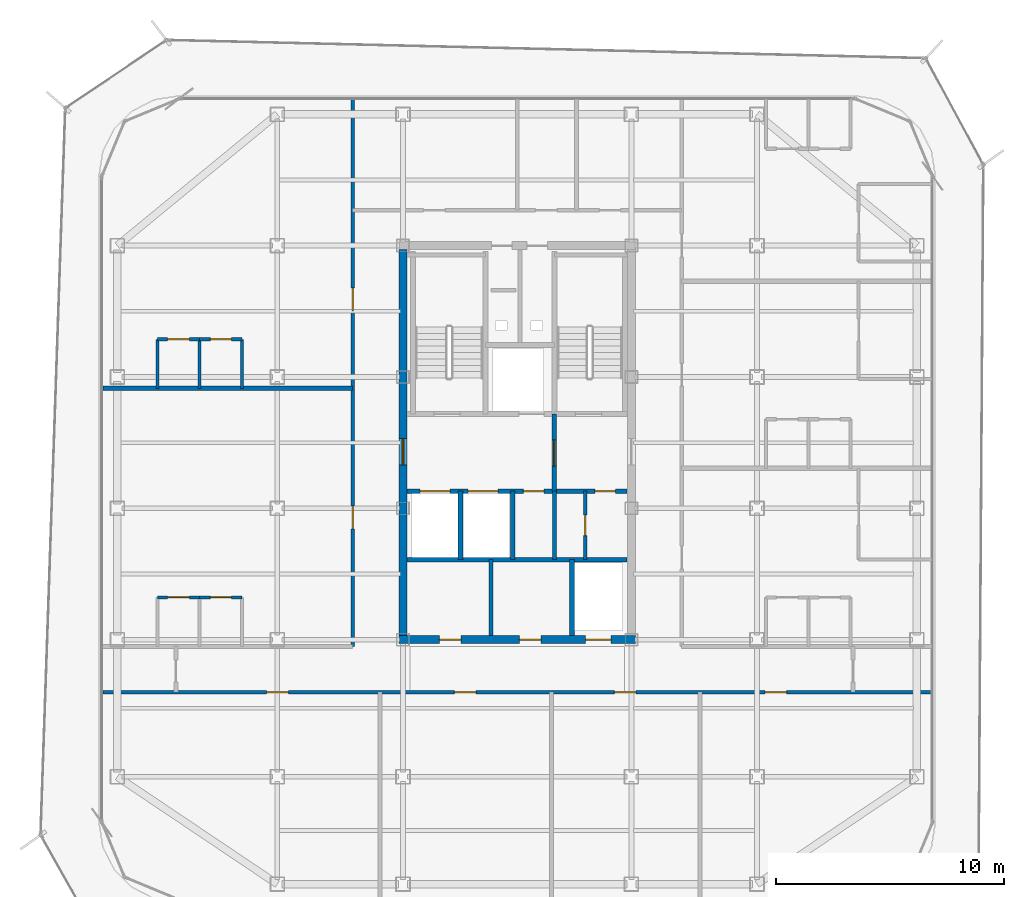
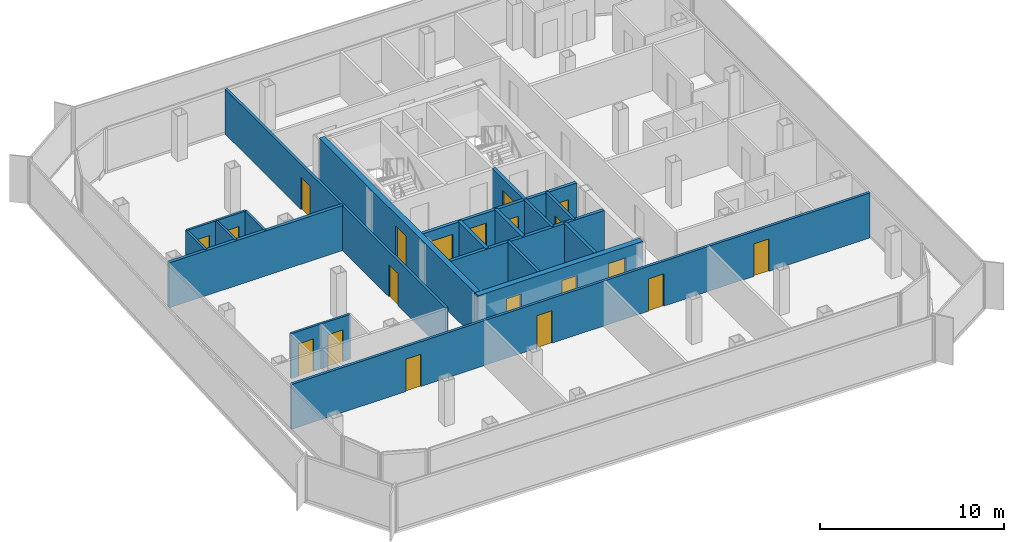
# One storey, part 10 of 15: 21 walls, 20 doors, 20 openings.
"""IFC4 building model written with IfcOpenShell, lengths in metres."""

from ifc_helpers import new_model, si_unit, direction, frame, frame_2d, origin, place, context, subcontext, project, spatial, rectangle, extrude, material, layer, layer_set, type_object, element, fill, save


model = new_model("IFC4")

# Units and contexts
model_context = context("Model", 3, precision=1e-05, world=origin(), true_north=direction((0.0, 1.0)))
body_context = subcontext(model_context, "Body", "Model", "MODEL_VIEW")
ifc_project = project(units=[si_unit("LENGTHUNIT", "METRE"), si_unit("AREAUNIT", "SQUARE_METRE"), si_unit("VOLUMEUNIT", "CUBIC_METRE"), si_unit("PLANEANGLEUNIT", "RADIAN"), si_unit("MASSUNIT", "GRAM", prefix="KILO")], contexts=[model_context])

# Site, building, storey
site_placement = place(None, origin())
site = spatial("IfcSite", under=ifc_project, at=site_placement, CompositionType="ELEMENT")
building_placement = place(site_placement, origin())
building = spatial("IfcBuilding", under=site, at=building_placement, Name="Kolveth Station Tower", CompositionType="ELEMENT")
storey_placement = place(building_placement, frame((0.0, 0.0, 248.89990234375)))
storey = spatial("IfcBuildingStorey", under=building, at=storey_placement, Name="L71", CompositionType="ELEMENT", Elevation=248.89990234375)

# Wall, openings, doors
ifc_material_1 = material(Name="Concrete C50/60", Category="concrete")
ifc_layer_1 = layer(ifc_material_1, 0.35009765625)
ifc_layer_set_1 = layer_set([ifc_layer_1], Name="Concrete C50/60")
wall_type_1 = type_object("IfcWallType", Name="Wall_CW-350", PredefinedType="SHEAR", material=ifc_layer_set_1)
wall_1_placement = place(storey_placement, frame((18.324951171875, 11.5, 0.0), z_axis=(0.0, 0.0, 1.0), x_axis=(1.0, 0.0, 0.0)))
wall_1 = element("IfcWall", 1, at=wall_1_placement, inside=storey, type_object=wall_type_1, Name="L71 Core RC Shear Wall S", PredefinedType="SHEAR", context=body_context, shape_type="SweptSolid", body=[
    extrude(rectangle(XDim=10.35009765625, YDim=0.35009765625, at=frame_2d((5.175048828125, 0.0))), origin(), (0.0, 0.0, 1.0), 2.97998046875),
])
opening_1_placement = place(wall_1_placement, frame((1.77490234375, 0.0, 0.0)))
opening_1 = element("IfcOpeningElement", 2, at=opening_1_placement, cuts=wall_1, Name="Opening ID1", PredefinedType="OPENING", context=body_context, shape_type="SweptSolid", body=[
    extrude(rectangle(XDim=0.949951171875, YDim=2.14990234375, at=frame_2d((0.47509765625, 1.074951171875))), frame((0.0, 0.18505859375, 0.0), z_axis=(0.0, -1.0, 0.0), x_axis=(1.0, 0.0, 0.0)), (0.0, 0.0, 1.0), 0.3701171875),
])
opening_2_placement = place(wall_1_placement, frame((5.27490234375, 0.0, 0.0)))
opening_2 = element("IfcOpeningElement", 3, at=opening_2_placement, cuts=wall_1, Name="Opening ID1", PredefinedType="OPENING", context=body_context, shape_type="SweptSolid", body=[
    extrude(rectangle(XDim=0.949951171875, YDim=2.14990234375, at=frame_2d((0.47509765625, 1.074951171875))), frame((0.0, 0.18505859375, 0.0), z_axis=(0.0, -1.0, 0.0), x_axis=(1.0, 0.0, 0.0)), (0.0, 0.0, 1.0), 0.3701171875),
])
opening_3_placement = place(wall_1_placement, frame((8.175048828125, 0.0, 0.0)))
opening_3 = element("IfcOpeningElement", 4, at=opening_3_placement, cuts=wall_1, Name="Opening LD1", PredefinedType="OPENING", context=body_context, shape_type="SweptSolid", body=[
    extrude(rectangle(XDim=1.10009765625, YDim=2.25, at=frame_2d((0.550048828125, 1.125))), frame((0.0, 0.18505859375, 0.0), z_axis=(0.0, -1.0, 0.0), x_axis=(1.0, 0.0, 0.0)), (0.0, 0.0, 1.0), 0.3701171875),
])
ifc_material_2 = material(Name="Acoustic hardwood leaf and aluminium frame", Category="wood")
door_type_1 = type_object("IfcDoorType", Name="Door_ID1", OperationType="NOTDEFINED", PredefinedType="DOOR", material=ifc_material_2)
door_1_placement = place(opening_1_placement, frame((0.949951171875, 0.0, 0.0), z_axis=(0.0, 0.0, 1.0), x_axis=(-1.0, 0.0, 0.0)))
door_1 = element("IfcDoor", 5, at=door_1_placement, inside=storey, type_object=door_type_1, Name="L71 Laundry Room Door", OperationType="SINGLE_SWING_LEFT", OverallHeight=2.14990234375, OverallWidth=0.949951171875, PredefinedType="DOOR", context=body_context, shape_type="SweptSolid", body=[
    extrude(rectangle(XDim=0.949951171875, YDim=2.14990234375, at=frame_2d((0.47509765625, 1.074951171875))), frame((0.0, 0.02490234375, 0.0), z_axis=(0.0, -1.0, 0.0), x_axis=(1.0, 0.0, 0.0)), (0.0, 0.0, 1.0), 0.050048828125),
])
fill(opening_1, door_1)
door_2_placement = place(opening_2_placement, frame((0.949951171875, 0.0, 0.0), z_axis=(0.0, 0.0, 1.0), x_axis=(-1.0, 0.0, 0.0)))
door_2 = element("IfcDoor", 6, at=door_2_placement, inside=storey, type_object=door_type_1, Name="L71 Parcel Room Door", OperationType="SINGLE_SWING_RIGHT", OverallHeight=2.14990234375, OverallWidth=0.949951171875, PredefinedType="DOOR", context=body_context, shape_type="SweptSolid", body=[
    extrude(rectangle(XDim=0.949951171875, YDim=2.14990234375, at=frame_2d((0.47509765625, 1.074951171875))), frame((0.0, 0.02490234375, 0.0), z_axis=(0.0, -1.0, 0.0), x_axis=(1.0, 0.0, 0.0)), (0.0, 0.0, 1.0), 0.050048828125),
])
fill(opening_2, door_2)
ifc_material_3 = material(Name="Brushed stainless steel sliding landing doors", Category="steel")
door_type_2 = type_object("IfcDoorType", Name="Door_LD1", OperationType="NOTDEFINED", PredefinedType="DOOR", material=ifc_material_3)
door_3_placement = place(opening_3_placement, frame((1.10009765625, 0.0, 0.0), z_axis=(0.0, 0.0, 1.0), x_axis=(-1.0, 0.0, 0.0)))
door_3 = element("IfcDoor", 7, at=door_3_placement, inside=storey, type_object=door_type_2, Name="L71 Lift PH1 Landing Door", OperationType="DOUBLE_DOOR_SLIDING", OverallHeight=2.25, OverallWidth=1.10009765625, PredefinedType="DOOR", context=body_context, shape_type="SweptSolid", body=[
    extrude(rectangle(XDim=1.10009765625, YDim=2.25, at=frame_2d((0.550048828125, 1.125))), frame((0.0, 0.02490234375, 0.0), z_axis=(0.0, -1.0, 0.0), x_axis=(1.0, 0.0, 0.0)), (0.0, 0.0, 1.0), 0.050048828125),
])
fill(opening_3, door_3)

# Wall, opening, door
wall_2_placement = place(storey_placement, frame((18.5, 11.675048828125, 0.0), z_axis=(0.0, 0.0, 1.0), x_axis=(0.0, 1.0, 0.0)))
wall_2 = element("IfcWall", 8, at=wall_2_placement, inside=storey, type_object=wall_type_1, Name="L71 Core RC Shear Wall W", PredefinedType="SHEAR", context=body_context, shape_type="SweptSolid", body=[
    extrude(rectangle(XDim=16.89990234375, YDim=0.35009765625, at=frame_2d((8.449951171875, 0.0))), origin(), (0.0, 0.0, 1.0), 2.97998046875),
])
opening_4_placement = place(wall_2_placement, frame((7.47509765625, 0.0, 0.0)))
opening_4 = element("IfcOpeningElement", 9, at=opening_4_placement, cuts=wall_2, Name="Opening FD1", PredefinedType="OPENING", context=body_context, shape_type="SweptSolid", body=[
    extrude(rectangle(XDim=1.14990234375, YDim=2.199951171875, at=frame_2d((0.574951171875, 1.10009765625))), frame((0.0, 0.18505859375, 0.0), z_axis=(0.0, -1.0, 0.0), x_axis=(1.0, 0.0, 0.0)), (0.0, 0.0, 1.0), 0.3701171875),
])
ifc_material_4 = material(Name="Fire-rated Steel S355 leaf and frame", Category="steel")
door_type_3 = type_object("IfcDoorType", Name="Door_FD1", OperationType="NOTDEFINED", PredefinedType="DOOR", material=ifc_material_4)
door_4_placement = place(opening_4_placement, frame((1.14990234375, 0.0, 0.0), z_axis=(0.0, 0.0, 1.0), x_axis=(-1.0, 0.0, 0.0)))
door_4 = element("IfcDoor", 10, at=door_4_placement, inside=storey, type_object=door_type_3, Name="L71 West Corridor to Firefighting Lobby Door", OperationType="SINGLE_SWING_LEFT", OverallHeight=2.199951171875, OverallWidth=1.14990234375, PredefinedType="DOOR", context=body_context, shape_type="SweptSolid", body=[
    extrude(rectangle(XDim=1.14990234375, YDim=2.199951171875, at=frame_2d((0.574951171875, 1.10009765625))), frame((0.0, 0.02490234375, 0.0), z_axis=(0.0, -1.0, 0.0), x_axis=(1.0, 0.0, 0.0)), (0.0, 0.0, 1.0), 0.050048828125),
])
fill(opening_4, door_4)

ifc_material_5 = material(Name="Moisture-resistant gypsum partition")
ifc_layer_2 = layer(ifc_material_5, 0.135009765625)
ifc_layer_set_2 = layer_set([ifc_layer_2], Name="Moisture-resistant gypsum partition")
wall_type_2 = type_object("IfcWallType", Name="Wall_IW-135", PredefinedType="PARTITIONING", material=ifc_layer_set_2)
wall_3_placement = place(storey_placement, frame((7.75, 13.35009765625, 0.0), z_axis=(0.0, 0.0, 1.0), x_axis=(1.0, 0.0, 0.0)))
wall_3 = element("IfcWall", 11, at=wall_3_placement, inside=storey, type_object=wall_type_2, Name="L71 Partition Wall WL-L71-W1-IBHK", PredefinedType="PARTITIONING", context=body_context, shape_type="SweptSolid", body=[
    extrude(rectangle(XDim=1.85009765625, YDim=0.135009765625, at=frame_2d((0.925048828125, 0.0))), origin(), (0.0, 0.0, 1.0), 2.97998046875),
])
opening_5_placement = place(wall_3_placement, frame((0.445068359375, 0.0, 0.0)))
opening_5 = element("IfcOpeningElement", 12, at=opening_5_placement, cuts=wall_3, Name="Opening ID1", PredefinedType="OPENING", context=body_context, shape_type="SweptSolid", body=[
    extrude(rectangle(XDim=0.949951171875, YDim=2.14990234375, at=frame_2d((0.47509765625, 1.074951171875))), frame((0.0, 0.077392578125, 0.0), z_axis=(0.0, -1.0, 0.0), x_axis=(1.0, 0.0, 0.0)), (0.0, 0.0, 1.0), 0.155029296875),
])
door_5_placement = place(opening_5_placement, origin())
door_5 = element("IfcDoor", 13, at=door_5_placement, inside=storey, type_object=door_type_1, Name="Penthouse Flat L71-W1 Kitchen Door", OperationType="SINGLE_SWING_LEFT", OverallHeight=2.14990234375, OverallWidth=0.949951171875, PredefinedType="DOOR", context=body_context, shape_type="SweptSolid", body=[
    extrude(rectangle(XDim=0.949951171875, YDim=2.14990234375, at=frame_2d((0.47509765625, 1.074951171875))), frame((0.0, 0.02490234375, 0.0), z_axis=(0.0, -1.0, 0.0), x_axis=(1.0, 0.0, 0.0)), (0.0, 0.0, 1.0), 0.050048828125),
])
fill(opening_5, door_5)

wall_4_placement = place(storey_placement, frame((9.60009765625, 13.35009765625, 0.0), z_axis=(0.0, 0.0, 1.0), x_axis=(1.0, 0.0, 0.0)))
wall_4 = element("IfcWall", 14, at=wall_4_placement, inside=storey, type_object=wall_type_2, Name="L71 Partition Wall WL-L71-W1-IBHB", PredefinedType="PARTITIONING", context=body_context, shape_type="SweptSolid", body=[
    extrude(rectangle(XDim=1.849853515625, YDim=0.135009765625, at=frame_2d((0.9248046875, 0.0))), origin(), (0.0, 0.0, 1.0), 2.97998046875),
])
opening_6_placement = place(wall_4_placement, frame((0.465087890625, 0.0, 0.0)))
opening_6 = element("IfcOpeningElement", 15, at=opening_6_placement, cuts=wall_4, Name="Opening ID2", PredefinedType="OPENING", context=body_context, shape_type="SweptSolid", body=[
    extrude(rectangle(XDim=0.919921875, YDim=2.10009765625, at=frame_2d((0.4599609375, 1.050048828125))), frame((0.0, 0.077392578125, 0.0), z_axis=(0.0, -1.0, 0.0), x_axis=(1.0, 0.0, 0.0)), (0.0, 0.0, 1.0), 0.155029296875),
])
ifc_material_6 = material(Name="Moisture-resistant hardwood leaf", Category="wood")
door_type_4 = type_object("IfcDoorType", Name="Door_ID2", OperationType="NOTDEFINED", PredefinedType="DOOR", material=ifc_material_6)
door_6_placement = place(opening_6_placement, origin())
door_6 = element("IfcDoor", 16, at=door_6_placement, inside=storey, type_object=door_type_4, Name="Penthouse Flat L71-W1 Bathroom Door", OperationType="SINGLE_SWING_LEFT", OverallHeight=2.10009765625, OverallWidth=0.919921875, PredefinedType="DOOR", context=body_context, shape_type="SweptSolid", body=[
    extrude(rectangle(XDim=0.919921875, YDim=2.10009765625, at=frame_2d((0.4599609375, 1.050048828125))), frame((0.0, 0.02490234375, 0.0), z_axis=(0.0, -1.0, 0.0), x_axis=(1.0, 0.0, 0.0)), (0.0, 0.0, 1.0), 0.050048828125),
])
fill(opening_6, door_6)

wall_5_placement = place(storey_placement, frame((7.75, 24.64990234375, 0.0), z_axis=(0.0, 0.0, 1.0), x_axis=(1.0, 0.0, 0.0)))
wall_5 = element("IfcWall", 17, at=wall_5_placement, inside=storey, type_object=wall_type_2, Name="L71 Partition Wall WL-L71-W2-IBHK", PredefinedType="PARTITIONING", context=body_context, shape_type="SweptSolid", body=[
    extrude(rectangle(XDim=1.85009765625, YDim=0.135009765625, at=frame_2d((0.925048828125, 0.0))), origin(), (0.0, 0.0, 1.0), 2.97998046875),
])
opening_7_placement = place(wall_5_placement, frame((0.445068359375, 0.0, 0.0)))
opening_7 = element("IfcOpeningElement", 18, at=opening_7_placement, cuts=wall_5, Name="Opening ID1", PredefinedType="OPENING", context=body_context, shape_type="SweptSolid", body=[
    extrude(rectangle(XDim=0.949951171875, YDim=2.14990234375, at=frame_2d((0.47509765625, 1.074951171875))), frame((0.0, 0.077392578125, 0.0), z_axis=(0.0, -1.0, 0.0), x_axis=(1.0, 0.0, 0.0)), (0.0, 0.0, 1.0), 0.155029296875),
])
door_7_placement = place(opening_7_placement, origin())
door_7 = element("IfcDoor", 19, at=door_7_placement, inside=storey, type_object=door_type_1, Name="Penthouse Flat L71-W2 Kitchen Door", OperationType="SINGLE_SWING_RIGHT", OverallHeight=2.14990234375, OverallWidth=0.949951171875, PredefinedType="DOOR", context=body_context, shape_type="SweptSolid", body=[
    extrude(rectangle(XDim=0.949951171875, YDim=2.14990234375, at=frame_2d((0.47509765625, 1.074951171875))), frame((0.0, 0.02490234375, 0.0), z_axis=(0.0, -1.0, 0.0), x_axis=(1.0, 0.0, 0.0)), (0.0, 0.0, 1.0), 0.050048828125),
])
fill(opening_7, door_7)

wall_6_placement = place(storey_placement, frame((9.60009765625, 24.64990234375, 0.0), z_axis=(0.0, 0.0, 1.0), x_axis=(1.0, 0.0, 0.0)))
wall_6 = element("IfcWall", 20, at=wall_6_placement, inside=storey, type_object=wall_type_2, Name="L71 Partition Wall WL-L71-W2-IBHB", PredefinedType="PARTITIONING", context=body_context, shape_type="SweptSolid", body=[
    extrude(rectangle(XDim=1.849853515625, YDim=0.135009765625, at=frame_2d((0.9248046875, 0.0))), origin(), (0.0, 0.0, 1.0), 2.97998046875),
])
opening_8_placement = place(wall_6_placement, frame((0.465087890625, 0.0, 0.0)))
opening_8 = element("IfcOpeningElement", 21, at=opening_8_placement, cuts=wall_6, Name="Opening ID2", PredefinedType="OPENING", context=body_context, shape_type="SweptSolid", body=[
    extrude(rectangle(XDim=0.919921875, YDim=2.10009765625, at=frame_2d((0.4599609375, 1.050048828125))), frame((0.0, 0.077392578125, 0.0), z_axis=(0.0, -1.0, 0.0), x_axis=(1.0, 0.0, 0.0)), (0.0, 0.0, 1.0), 0.155029296875),
])
door_8_placement = place(opening_8_placement, origin())
door_8 = element("IfcDoor", 22, at=door_8_placement, inside=storey, type_object=door_type_4, Name="Penthouse Flat L71-W2 Bathroom Door", OperationType="SINGLE_SWING_LEFT", OverallHeight=2.10009765625, OverallWidth=0.919921875, PredefinedType="DOOR", context=body_context, shape_type="SweptSolid", body=[
    extrude(rectangle(XDim=0.919921875, YDim=2.10009765625, at=frame_2d((0.4599609375, 1.050048828125))), frame((0.0, 0.02490234375, 0.0), z_axis=(0.0, -1.0, 0.0), x_axis=(1.0, 0.0, 0.0)), (0.0, 0.0, 1.0), 0.050048828125),
])
fill(opening_8, door_8)

# Walls
for number, where, z_axis, x_axis, name in (
    (23, (7.75, 22.5, 0.0), (0.0, 0.0, 1.0), (0.0, 1.0, 0.0), "L71 Partition Wall WL-L71-W2-IBV0"),
    (24, (9.60009765625, 22.5, 0.0), (0.0, 0.0, 1.0), (0.0, 1.0, 0.0), "L71 Partition Wall WL-L71-W2-IBV1"),
    (25, (11.449951171875, 22.5, 0.0), (0.0, 0.0, 1.0), (0.0, 1.0, 0.0), "L71 Partition Wall WL-L71-W2-IBV2"),
):
    element("IfcWall", number, at=place(storey_placement, frame(where, z_axis=z_axis, x_axis=x_axis)), inside=storey, type_object=wall_type_2, Name=name, PredefinedType="PARTITIONING", context=body_context, shape_type="SweptSolid", body=[
        extrude(rectangle(XDim=2.14990234375, YDim=0.135009765625, at=frame_2d((1.074951171875, 0.0))), origin(), (0.0, 0.0, 1.0), 2.97998046875),
    ])
ifc_material_7 = material(Name="Acoustic double-stud gypsum partition")
ifc_layer_3 = layer(ifc_material_7, 0.1650390625)
ifc_layer_set_3 = layer_set([ifc_layer_3], Name="Acoustic double-stud gypsum partition")
wall_type_3 = type_object("IfcWallType", Name="Wall_IW-165", PredefinedType="PARTITIONING", material=ifc_layer_set_3)
wall_7_placement = place(storey_placement, frame((25.1298828125, 15.0, 0.0), z_axis=(0.0, 0.0, 1.0), x_axis=(0.0, 1.0, 0.0)))
element("IfcWall", 26, at=wall_7_placement, inside=storey, type_object=wall_type_3, Name="L71 Partition Wall WL-L71-CB-V3A", PredefinedType="PARTITIONING", context=body_context, shape_type="SweptSolid", body=[
    extrude(rectangle(XDim=3.0, YDim=0.1650390625, at=frame_2d((1.5, 0.0))), origin(), (0.0, 0.0, 1.0), 2.97998046875),
])

# Wall, opening, door
wall_8_placement = place(storey_placement, frame((26.47998046875, 15.0, 0.0), z_axis=(0.0, 0.0, 1.0), x_axis=(0.0, 1.0, 0.0)))
wall_8 = element("IfcWall", 27, at=wall_8_placement, inside=storey, type_object=wall_type_3, Name="L71 Partition Wall WL-L71-CB-V3B", PredefinedType="PARTITIONING", context=body_context, shape_type="SweptSolid", body=[
    extrude(rectangle(XDim=3.0, YDim=0.1650390625, at=frame_2d((1.5, 0.0))), origin(), (0.0, 0.0, 1.0), 2.97998046875),
])
opening_9_placement = place(wall_8_placement, frame((1.050048828125, 0.0, 0.0)))
opening_9 = element("IfcOpeningElement", 28, at=opening_9_placement, cuts=wall_8, Name="Opening RD1", PredefinedType="OPENING", context=body_context, shape_type="SweptSolid", body=[
    extrude(rectangle(XDim=0.89990234375, YDim=2.050048828125, at=frame_2d((0.449951171875, 1.02490234375))), frame((0.0, 0.092529296875, 0.0), z_axis=(0.0, -1.0, 0.0), x_axis=(1.0, 0.0, 0.0)), (0.0, 0.0, 1.0), 0.18505859375),
])
ifc_material_8 = material(Name="Fire-rated Steel S355 riser access leaf", Category="steel")
door_type_5 = type_object("IfcDoorType", Name="Door_RD1", OperationType="NOTDEFINED", PredefinedType="DOOR", material=ifc_material_8)
door_9_placement = place(opening_9_placement, origin())
door_9 = element("IfcDoor", 29, at=door_9_placement, inside=storey, type_object=door_type_5, Name="L71 Core Meter Closet Door", OperationType="SINGLE_SWING_LEFT", OverallHeight=2.050048828125, OverallWidth=0.89990234375, PredefinedType="DOOR", context=body_context, shape_type="SweptSolid", body=[
    extrude(rectangle(XDim=0.89990234375, YDim=2.050048828125, at=frame_2d((0.449951171875, 1.02490234375))), frame((0.0, 0.02490234375, 0.0), z_axis=(0.0, -1.0, 0.0), x_axis=(1.0, 0.0, 0.0)), (0.0, 0.0, 1.0), 0.050048828125),
])
fill(opening_9, door_9)

# Wall
wall_9_placement = place(storey_placement, frame((22.35009765625, 11.68505859375, 0.0), z_axis=(0.0, 0.0, 1.0), x_axis=(0.0, 1.0, 0.0)))
element("IfcWall", 30, at=wall_9_placement, inside=storey, type_object=wall_type_3, Name="L71 Partition Wall WL-L71-FR-M", PredefinedType="PARTITIONING", context=body_context, shape_type="SweptSolid", body=[
    extrude(rectangle(XDim=3.31494140625, YDim=0.1650390625, at=frame_2d((1.657470703125, 0.0))), origin(), (0.0, 0.0, 1.0), 2.97998046875),
])

# Wall, openings, doors
wall_10_placement = place(storey_placement, frame((5.360107421875, 9.199951171875, 0.0), z_axis=(0.0, 0.0, 1.0), x_axis=(1.0, 0.0, 0.0)))
wall_10 = element("IfcWall", 31, at=wall_10_placement, inside=storey, type_object=wall_type_3, Name="L71 Partition Wall WL-L71-RS", PredefinedType="PARTITIONING", context=body_context, shape_type="SweptSolid", body=[
    extrude(rectangle(XDim=36.27978515625, YDim=0.1650390625, at=frame_2d((18.139892578125, 0.0))), origin(), (0.0, 0.0, 1.0), 2.97998046875),
])
opening_10_placement = place(wall_10_placement, frame((7.169921875, 0.0, 0.0)))
opening_10 = element("IfcOpeningElement", 32, at=opening_10_placement, cuts=wall_10, Name="Opening ID1", PredefinedType="OPENING", context=body_context, shape_type="SweptSolid", body=[
    extrude(rectangle(XDim=0.949951171875, YDim=2.14990234375, at=frame_2d((0.47509765625, 1.074951171875))), frame((0.0, 0.092529296875, 0.0), z_axis=(0.0, -1.0, 0.0), x_axis=(1.0, 0.0, 0.0)), (0.0, 0.0, 1.0), 0.18505859375),
])
opening_11_placement = place(wall_10_placement, frame((15.389892578125, 0.0, 0.0)))
opening_11 = element("IfcOpeningElement", 33, at=opening_11_placement, cuts=wall_10, Name="Opening ID1", PredefinedType="OPENING", context=body_context, shape_type="SweptSolid", body=[
    extrude(rectangle(XDim=0.949951171875, YDim=2.14990234375, at=frame_2d((0.47509765625, 1.074951171875))), frame((0.0, 0.092529296875, 0.0), z_axis=(0.0, -1.0, 0.0), x_axis=(1.0, 0.0, 0.0)), (0.0, 0.0, 1.0), 0.18505859375),
])
opening_12_placement = place(wall_10_placement, frame((22.389892578125, 0.0, 0.0)))
opening_12 = element("IfcOpeningElement", 34, at=opening_12_placement, cuts=wall_10, Name="Opening ID1", PredefinedType="OPENING", context=body_context, shape_type="SweptSolid", body=[
    extrude(rectangle(XDim=0.949951171875, YDim=2.14990234375, at=frame_2d((0.47509765625, 1.074951171875))), frame((0.0, 0.092529296875, 0.0), z_axis=(0.0, -1.0, 0.0), x_axis=(1.0, 0.0, 0.0)), (0.0, 0.0, 1.0), 0.18505859375),
])
opening_13_placement = place(wall_10_placement, frame((28.989990234375, 0.0, 0.0)))
opening_13 = element("IfcOpeningElement", 35, at=opening_13_placement, cuts=wall_10, Name="Opening ID1", PredefinedType="OPENING", context=body_context, shape_type="SweptSolid", body=[
    extrude(rectangle(XDim=0.949951171875, YDim=2.14990234375, at=frame_2d((0.47509765625, 1.074951171875))), frame((0.0, 0.092529296875, 0.0), z_axis=(0.0, -1.0, 0.0), x_axis=(1.0, 0.0, 0.0)), (0.0, 0.0, 1.0), 0.18505859375),
])
door_10_placement = place(opening_10_placement, frame((0.949951171875, 0.0, 0.0), z_axis=(0.0, 0.0, 1.0), x_axis=(-1.0, 0.0, 0.0)))
door_10 = element("IfcDoor", 36, at=door_10_placement, inside=storey, type_object=door_type_1, Name="L71 Residents' Co-Working Office 1 Door", OperationType="SINGLE_SWING_LEFT", OverallHeight=2.14990234375, OverallWidth=0.949951171875, PredefinedType="DOOR", context=body_context, shape_type="SweptSolid", body=[
    extrude(rectangle(XDim=0.949951171875, YDim=2.14990234375, at=frame_2d((0.47509765625, 1.074951171875))), frame((0.0, 0.02490234375, 0.0), z_axis=(0.0, -1.0, 0.0), x_axis=(1.0, 0.0, 0.0)), (0.0, 0.0, 1.0), 0.050048828125),
])
fill(opening_10, door_10)
door_11_placement = place(opening_11_placement, frame((0.949951171875, 0.0, 0.0), z_axis=(0.0, 0.0, 1.0), x_axis=(-1.0, 0.0, 0.0)))
door_11 = element("IfcDoor", 37, at=door_11_placement, inside=storey, type_object=door_type_1, Name="L71 Residents' Co-Working Office 2 Door", OperationType="SINGLE_SWING_RIGHT", OverallHeight=2.14990234375, OverallWidth=0.949951171875, PredefinedType="DOOR", context=body_context, shape_type="SweptSolid", body=[
    extrude(rectangle(XDim=0.949951171875, YDim=2.14990234375, at=frame_2d((0.47509765625, 1.074951171875))), frame((0.0, 0.02490234375, 0.0), z_axis=(0.0, -1.0, 0.0), x_axis=(1.0, 0.0, 0.0)), (0.0, 0.0, 1.0), 0.050048828125),
])
fill(opening_11, door_11)
door_12_placement = place(opening_12_placement, frame((0.949951171875, 0.0, 0.0), z_axis=(0.0, 0.0, 1.0), x_axis=(-1.0, 0.0, 0.0)))
door_12 = element("IfcDoor", 38, at=door_12_placement, inside=storey, type_object=door_type_1, Name="L71 Residents' Meeting Room 1 Door", OperationType="SINGLE_SWING_LEFT", OverallHeight=2.14990234375, OverallWidth=0.949951171875, PredefinedType="DOOR", context=body_context, shape_type="SweptSolid", body=[
    extrude(rectangle(XDim=0.949951171875, YDim=2.14990234375, at=frame_2d((0.47509765625, 1.074951171875))), frame((0.0, 0.02490234375, 0.0), z_axis=(0.0, -1.0, 0.0), x_axis=(1.0, 0.0, 0.0)), (0.0, 0.0, 1.0), 0.050048828125),
])
fill(opening_12, door_12)
door_13_placement = place(opening_13_placement, frame((0.949951171875, 0.0, 0.0), z_axis=(0.0, 0.0, 1.0), x_axis=(-1.0, 0.0, 0.0)))
door_13 = element("IfcDoor", 39, at=door_13_placement, inside=storey, type_object=door_type_1, Name="L71 Residents' Meeting Room 2 Door", OperationType="SINGLE_SWING_RIGHT", OverallHeight=2.14990234375, OverallWidth=0.949951171875, PredefinedType="DOOR", context=body_context, shape_type="SweptSolid", body=[
    extrude(rectangle(XDim=0.949951171875, YDim=2.14990234375, at=frame_2d((0.47509765625, 1.074951171875))), frame((0.0, 0.02490234375, 0.0), z_axis=(0.0, -1.0, 0.0), x_axis=(1.0, 0.0, 0.0)), (0.0, 0.0, 1.0), 0.050048828125),
])
fill(opening_13, door_13)

wall_11_placement = place(storey_placement, frame((16.300048828125, 11.199951171875, 0.0), z_axis=(0.0, 0.0, 1.0), x_axis=(0.0, 1.0, 0.0)))
wall_11 = element("IfcWall", 40, at=wall_11_placement, inside=storey, type_object=wall_type_3, Name="L71 Partition Wall WL-L71-RW", PredefinedType="PARTITIONING", context=body_context, shape_type="SweptSolid", body=[
    extrude(rectangle(XDim=23.93994140625, YDim=0.1650390625, at=frame_2d((11.969970703125, 0.0))), origin(), (0.0, 0.0, 1.0), 2.97998046875),
])
opening_14_placement = place(wall_11_placement, frame((5.14990234375, 0.0, 0.0)))
opening_14 = element("IfcOpeningElement", 41, at=opening_14_placement, cuts=wall_11, Name="Opening FD3", PredefinedType="OPENING", context=body_context, shape_type="SweptSolid", body=[
    extrude(rectangle(XDim=1.0, YDim=2.14990234375, at=frame_2d((0.5, 1.074951171875))), frame((0.0, 0.092529296875, 0.0), z_axis=(0.0, -1.0, 0.0), x_axis=(1.0, 0.0, 0.0)), (0.0, 0.0, 1.0), 0.18505859375),
])
opening_15_placement = place(wall_11_placement, frame((14.699951171875, 0.0, 0.0)))
opening_15 = element("IfcOpeningElement", 42, at=opening_15_placement, cuts=wall_11, Name="Opening FD3", PredefinedType="OPENING", context=body_context, shape_type="SweptSolid", body=[
    extrude(rectangle(XDim=1.0, YDim=2.14990234375, at=frame_2d((0.5, 1.074951171875))), frame((0.0, 0.092529296875, 0.0), z_axis=(0.0, -1.0, 0.0), x_axis=(1.0, 0.0, 0.0)), (0.0, 0.0, 1.0), 0.18505859375),
])
ifc_material_9 = material(Name="Fire-rated hardwood leaf and aluminium frame", Category="wood")
door_type_6 = type_object("IfcDoorType", Name="Door_FD3", OperationType="NOTDEFINED", PredefinedType="DOOR", material=ifc_material_9)
door_14_placement = place(opening_14_placement, origin())
door_14 = element("IfcDoor", 43, at=door_14_placement, inside=storey, type_object=door_type_6, Name="Penthouse Flat L71-W1 Entrance Door", OperationType="SINGLE_SWING_LEFT", OverallHeight=2.14990234375, OverallWidth=1.0, PredefinedType="DOOR", context=body_context, shape_type="SweptSolid", body=[
    extrude(rectangle(XDim=1.0, YDim=2.14990234375, at=frame_2d((0.5, 1.074951171875))), frame((0.0, 0.02490234375, 0.0), z_axis=(0.0, -1.0, 0.0), x_axis=(1.0, 0.0, 0.0)), (0.0, 0.0, 1.0), 0.050048828125),
])
fill(opening_14, door_14)
door_15_placement = place(opening_15_placement, origin())
door_15 = element("IfcDoor", 44, at=door_15_placement, inside=storey, type_object=door_type_6, Name="Penthouse Flat L71-W2 Entrance Door", OperationType="SINGLE_SWING_RIGHT", OverallHeight=2.14990234375, OverallWidth=1.0, PredefinedType="DOOR", context=body_context, shape_type="SweptSolid", body=[
    extrude(rectangle(XDim=1.0, YDim=2.14990234375, at=frame_2d((0.5, 1.074951171875))), frame((0.0, 0.02490234375, 0.0), z_axis=(0.0, -1.0, 0.0), x_axis=(1.0, 0.0, 0.0)), (0.0, 0.0, 1.0), 0.050048828125),
])
fill(opening_15, door_15)

# Wall, opening, door
ifc_material_10 = material(Name="Acoustic fire-rated gypsum blockwork", Category="masonry")
ifc_layer_4 = layer(ifc_material_10, 0.199951171875)
ifc_layer_set_4 = layer_set([ifc_layer_4], Name="Acoustic fire-rated gypsum blockwork")
wall_type_4 = type_object("IfcWallType", Name="Wall_IW-200", PredefinedType="PARTITIONING", material=ifc_layer_set_4)
wall_12_placement = place(storey_placement, frame((25.1298828125, 18.0, 0.0), z_axis=(0.0, 0.0, 1.0), x_axis=(0.0, 1.0, 0.0)))
wall_12 = element("IfcWall", 45, at=wall_12_placement, inside=storey, type_object=wall_type_4, Name="L71 Partition Wall WL-L71-FFL-E", PredefinedType="PARTITIONING", context=body_context, shape_type="SweptSolid", body=[
    extrude(rectangle(XDim=3.389892578125, YDim=0.199951171875, at=frame_2d((1.69482421875, 0.0))), origin(), (0.0, 0.0, 1.0), 2.97998046875),
])
opening_16_placement = place(wall_12_placement, frame((1.10009765625, 0.0, 0.0)))
opening_16 = element("IfcOpeningElement", 46, at=opening_16_placement, cuts=wall_12, Name="Opening FD1", PredefinedType="OPENING", context=body_context, shape_type="SweptSolid", body=[
    extrude(rectangle(XDim=1.14990234375, YDim=2.199951171875, at=frame_2d((0.574951171875, 1.10009765625))), frame((0.0, 0.10986328125, 0.0), z_axis=(0.0, -1.0, 0.0), x_axis=(1.0, 0.0, 0.0)), (0.0, 0.0, 1.0), 0.219970703125),
])
door_16_placement = place(opening_16_placement, origin())
door_16 = element("IfcDoor", 47, at=door_16_placement, inside=storey, type_object=door_type_3, Name="L71 Firefighting to Stair Lobby Door", OperationType="SINGLE_SWING_LEFT", OverallHeight=2.199951171875, OverallWidth=1.14990234375, PredefinedType="DOOR", context=body_context, shape_type="SweptSolid", body=[
    extrude(rectangle(XDim=1.14990234375, YDim=2.199951171875, at=frame_2d((0.574951171875, 1.10009765625))), frame((0.0, 0.02490234375, 0.0), z_axis=(0.0, -1.0, 0.0), x_axis=(1.0, 0.0, 0.0)), (0.0, 0.0, 1.0), 0.050048828125),
])
fill(opening_16, door_16)

# Wall, openings, doors
wall_13_placement = place(storey_placement, frame((18.68505859375, 18.0, 0.0), z_axis=(0.0, 0.0, 1.0), x_axis=(1.0, 0.0, 0.0)))
wall_13 = element("IfcWall", 48, at=wall_13_placement, inside=storey, type_object=wall_type_4, Name="L71 Partition Wall WL-L71-FFL-S", PredefinedType="PARTITIONING", context=body_context, shape_type="SweptSolid", body=[
    extrude(rectangle(XDim=9.6298828125, YDim=0.199951171875, at=frame_2d((4.81494140625, 0.0))), origin(), (0.0, 0.0, 1.0), 2.97998046875),
])
opening_17_placement = place(wall_13_placement, frame((0.56494140625, 0.0, 0.0)))
opening_17 = element("IfcOpeningElement", 49, at=opening_17_placement, cuts=wall_13, Name="Opening LD2", PredefinedType="OPENING", context=body_context, shape_type="SweptSolid", body=[
    extrude(rectangle(XDim=1.300048828125, YDim=2.300048828125, at=frame_2d((0.64990234375, 1.14990234375))), frame((0.0, 0.10986328125, 0.0), z_axis=(0.0, -1.0, 0.0), x_axis=(1.0, 0.0, 0.0)), (0.0, 0.0, 1.0), 0.219970703125),
])
opening_18_placement = place(wall_13_placement, frame((2.6650390625, 0.0, 0.0)))
opening_18 = element("IfcOpeningElement", 50, at=opening_18_placement, cuts=wall_13, Name="Opening LD2", PredefinedType="OPENING", context=body_context, shape_type="SweptSolid", body=[
    extrude(rectangle(XDim=1.300048828125, YDim=2.300048828125, at=frame_2d((0.64990234375, 1.14990234375))), frame((0.0, 0.10986328125, 0.0), z_axis=(0.0, -1.0, 0.0), x_axis=(1.0, 0.0, 0.0)), (0.0, 0.0, 1.0), 0.219970703125),
])
opening_19_placement = place(wall_13_placement, frame((5.0849609375, 0.0, 0.0)))
opening_19 = element("IfcOpeningElement", 51, at=opening_19_placement, cuts=wall_13, Name="Opening RD1", PredefinedType="OPENING", context=body_context, shape_type="SweptSolid", body=[
    extrude(rectangle(XDim=0.89990234375, YDim=2.050048828125, at=frame_2d((0.449951171875, 1.02490234375))), frame((0.0, 0.10986328125, 0.0), z_axis=(0.0, -1.0, 0.0), x_axis=(1.0, 0.0, 0.0)), (0.0, 0.0, 1.0), 0.219970703125),
])
opening_20_placement = place(wall_13_placement, frame((8.215087890625, 0.0, 0.0)))
opening_20 = element("IfcOpeningElement", 52, at=opening_20_placement, cuts=wall_13, Name="Opening RD1", PredefinedType="OPENING", context=body_context, shape_type="SweptSolid", body=[
    extrude(rectangle(XDim=0.89990234375, YDim=2.050048828125, at=frame_2d((0.449951171875, 1.02490234375))), frame((0.0, 0.10986328125, 0.0), z_axis=(0.0, -1.0, 0.0), x_axis=(1.0, 0.0, 0.0)), (0.0, 0.0, 1.0), 0.219970703125),
])
ifc_material_11 = material(Name="Firefighting stainless steel sliding landing doors", Category="steel")
door_type_7 = type_object("IfcDoorType", Name="Door_LD2", OperationType="NOTDEFINED", PredefinedType="DOOR", material=ifc_material_11)
door_17_placement = place(opening_17_placement, origin())
door_17 = element("IfcDoor", 53, at=door_17_placement, inside=storey, type_object=door_type_7, Name="L71 Firefighting Lift FF1 Landing Door", OperationType="DOUBLE_DOOR_SLIDING", OverallHeight=2.300048828125, OverallWidth=1.300048828125, PredefinedType="DOOR", context=body_context, shape_type="SweptSolid", body=[
    extrude(rectangle(XDim=1.300048828125, YDim=2.300048828125, at=frame_2d((0.64990234375, 1.14990234375))), frame((0.0, 0.02490234375, 0.0), z_axis=(0.0, -1.0, 0.0), x_axis=(1.0, 0.0, 0.0)), (0.0, 0.0, 1.0), 0.050048828125),
])
fill(opening_17, door_17)
door_18_placement = place(opening_18_placement, origin())
door_18 = element("IfcDoor", 54, at=door_18_placement, inside=storey, type_object=door_type_7, Name="L71 Firefighting Lift FF2 Landing Door", OperationType="DOUBLE_DOOR_SLIDING", OverallHeight=2.300048828125, OverallWidth=1.300048828125, PredefinedType="DOOR", context=body_context, shape_type="SweptSolid", body=[
    extrude(rectangle(XDim=1.300048828125, YDim=2.300048828125, at=frame_2d((0.64990234375, 1.14990234375))), frame((0.0, 0.02490234375, 0.0), z_axis=(0.0, -1.0, 0.0), x_axis=(1.0, 0.0, 0.0)), (0.0, 0.0, 1.0), 0.050048828125),
])
fill(opening_18, door_18)
door_19_placement = place(opening_19_placement, frame((0.89990234375, 0.0, 0.0), z_axis=(0.0, 0.0, 1.0), x_axis=(-1.0, 0.0, 0.0)))
door_19 = element("IfcDoor", 55, at=door_19_placement, inside=storey, type_object=door_type_5, Name="L71 Core Staff WC Door", OperationType="SINGLE_SWING_RIGHT", OverallHeight=2.050048828125, OverallWidth=0.89990234375, PredefinedType="DOOR", context=body_context, shape_type="SweptSolid", body=[
    extrude(rectangle(XDim=0.89990234375, YDim=2.050048828125, at=frame_2d((0.449951171875, 1.02490234375))), frame((0.0, 0.02490234375, 0.0), z_axis=(0.0, -1.0, 0.0), x_axis=(1.0, 0.0, 0.0)), (0.0, 0.0, 1.0), 0.050048828125),
])
fill(opening_19, door_19)
door_20_placement = place(opening_20_placement, frame((0.89990234375, 0.0, 0.0), z_axis=(0.0, 0.0, 1.0), x_axis=(-1.0, 0.0, 0.0)))
door_20 = element("IfcDoor", 56, at=door_20_placement, inside=storey, type_object=door_type_5, Name="L71 Core Janitor Store Door", OperationType="SINGLE_SWING_RIGHT", OverallHeight=2.050048828125, OverallWidth=0.89990234375, PredefinedType="DOOR", context=body_context, shape_type="SweptSolid", body=[
    extrude(rectangle(XDim=0.89990234375, YDim=2.050048828125, at=frame_2d((0.449951171875, 1.02490234375))), frame((0.0, 0.02490234375, 0.0), z_axis=(0.0, -1.0, 0.0), x_axis=(1.0, 0.0, 0.0)), (0.0, 0.0, 1.0), 0.050048828125),
])
fill(opening_20, door_20)

# Walls
for number, where, z_axis, x_axis, name in (
    (57, (21.02001953125, 15.0, 0.0), (0.0, 0.0, 1.0), (0.0, 1.0, 0.0), "L71 Partition Wall WL-L71-FF12"),
    (58, (23.300048828125, 15.0, 0.0), (0.0, 0.0, 1.0), (0.0, 1.0, 0.0), "L71 Partition Wall WL-L71-FF2E"),
):
    element("IfcWall", number, at=place(storey_placement, frame(where, z_axis=z_axis, x_axis=x_axis)), inside=storey, type_object=wall_type_4, Name=name, PredefinedType="PARTITIONING", context=body_context, shape_type="SweptSolid", body=[
        extrude(rectangle(XDim=3.0, YDim=0.199951171875, at=frame_2d((1.5, 0.0))), origin(), (0.0, 0.0, 1.0), 2.97998046875),
    ])
wall_14_placement = place(storey_placement, frame((18.68505859375, 15.0, 0.0), z_axis=(0.0, 0.0, 1.0), x_axis=(1.0, 0.0, 0.0)))
element("IfcWall", 59, at=wall_14_placement, inside=storey, type_object=wall_type_4, Name="L71 Partition Wall WL-L71-BOH-S", PredefinedType="PARTITIONING", context=body_context, shape_type="SweptSolid", body=[
    extrude(rectangle(XDim=9.6298828125, YDim=0.199951171875, at=frame_2d((4.81494140625, 0.0))), origin(), (0.0, 0.0, 1.0), 2.97998046875),
])
wall_15_placement = place(storey_placement, frame((25.89990234375, 11.68505859375, 0.0), z_axis=(0.0, 0.0, 1.0), x_axis=(0.0, 1.0, 0.0)))
element("IfcWall", 60, at=wall_15_placement, inside=storey, type_object=wall_type_4, Name="L71 Partition Wall WL-L71-PMPH", PredefinedType="PARTITIONING", context=body_context, shape_type="SweptSolid", body=[
    extrude(rectangle(XDim=3.31494140625, YDim=0.199951171875, at=frame_2d((1.657470703125, 0.0))), origin(), (0.0, 0.0, 1.0), 2.97998046875),
])
wall_16_placement = place(storey_placement, frame((5.360107421875, 22.5, 0.0), z_axis=(0.0, 0.0, 1.0), x_axis=(1.0, 0.0, 0.0)))
element("IfcWall", 61, at=wall_16_placement, inside=storey, type_object=wall_type_4, Name="L71 Partition Wall WL-L71-RWU-1", PredefinedType="PARTITIONING", context=body_context, shape_type="SweptSolid", body=[
    extrude(rectangle(XDim=10.93994140625, YDim=0.199951171875, at=frame_2d((5.469970703125, 0.0))), origin(), (0.0, 0.0, 1.0), 2.97998046875),
])

save(model, "model.ifc")
